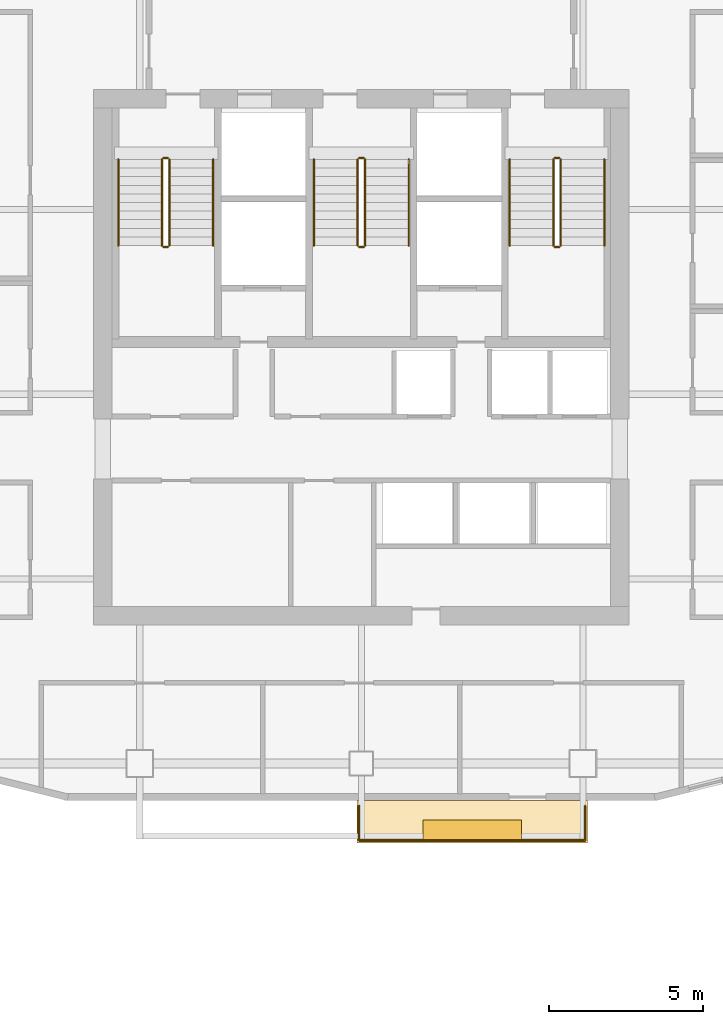
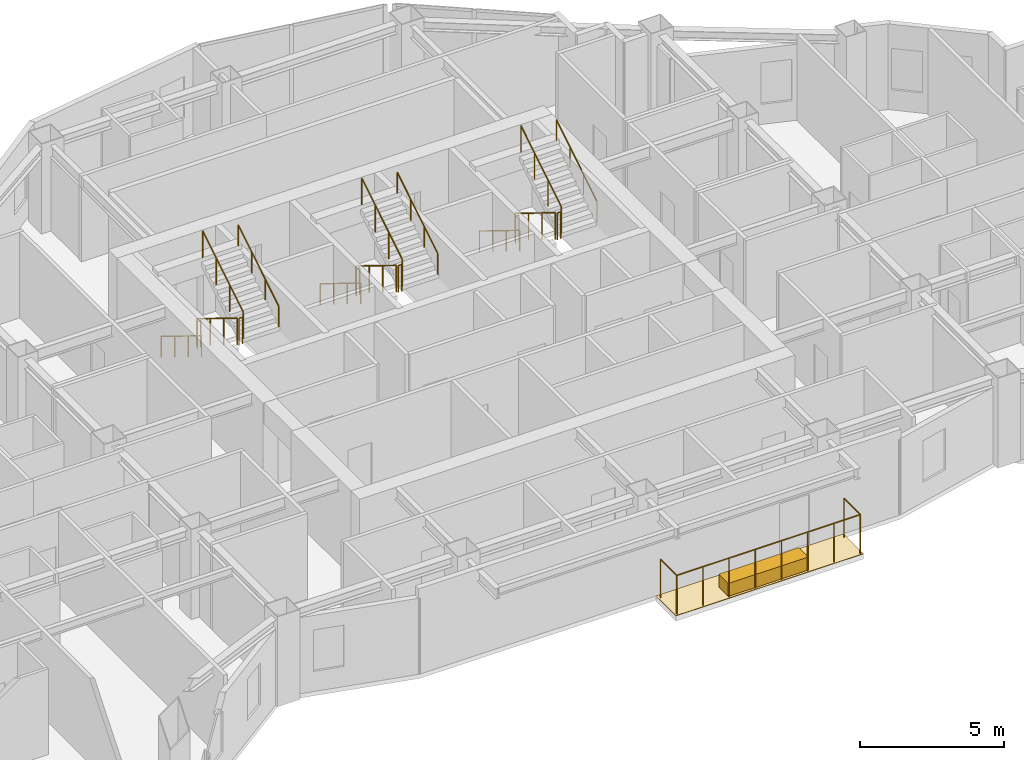
# One storey, part 11 of 11: 20 railings, 2 coverings.
"""IFC4 building model written with IfcOpenShell, lengths in metres."""

from ifc_helpers import new_model, si_unit, direction, frame, origin, origin_2d, place, context, subcontext, project, spatial, polyline, rectangle, circle, outline, extrude, material, layer, layer_set, type_object, element, save


model = new_model("IFC4")

# Units and contexts
model_context = context("Model", 3, precision=1e-05, world=origin(), true_north=direction((0.0, 1.0)))
body_context = subcontext(model_context, "Body", "Model", "MODEL_VIEW")
ifc_project = project(units=[si_unit("LENGTHUNIT", "METRE"), si_unit("AREAUNIT", "SQUARE_METRE"), si_unit("VOLUMEUNIT", "CUBIC_METRE"), si_unit("PLANEANGLEUNIT", "RADIAN"), si_unit("MASSUNIT", "GRAM", prefix="KILO")], contexts=[model_context])

# Site, building, storey
site_placement = place(None, origin())
site = spatial("IfcSite", under=ifc_project, at=site_placement, CompositionType="ELEMENT")
building_placement = place(site_placement, origin())
building = spatial("IfcBuilding", under=site, at=building_placement, Name="Haolan Belvedere Tower", CompositionType="ELEMENT")
storey_placement = place(building_placement, frame((0.0, 0.0, 223.0)))
storey = spatial("IfcBuildingStorey", under=building, at=storey_placement, Name="L56", CompositionType="ELEMENT", Elevation=223.0)

# Coverings
ifc_material_1 = material(Name="Engineered lightweight planted garden soil substrate", Category="masonry")
ifc_layer_1 = layer(ifc_material_1, 0.550048828125, Name="Engineered lightweight planted garden soil substrate")
ifc_layer_set_1 = layer_set([ifc_layer_1], Name="Engineered lightweight planted garden soil substrate")
covering_type_1 = type_object("IfcCoveringType", Name="COV-PLANT-550", PredefinedType="MEMBRANE", material=ifc_layer_set_1)
covering_1_placement = place(storey_placement, frame((42.0, 19.43994140625, 0.0), z_axis=(0.0, 0.0, 1.0), x_axis=(1.0, 0.0, 0.0)))
element("IfcCovering", 1, at=covering_1_placement, inside=storey, type_object=covering_type_1, Name="L56 structural tree balcony PLANTER box 1", PredefinedType="MEMBRANE", context=body_context, shape_type="SweptSolid", body=[
    extrude(rectangle(XDim=3.199951171875, YDim=0.64990234375, at=origin_2d()), origin(), (0.0, 0.0, 1.0), 0.550048828125),
])
ifc_material_2 = material(Name="Elastomeric waterproof roofing membrane and stone pavers", Category="masonry")
ifc_layer_2 = layer(ifc_material_2, 0.02001953125, Name="Elastomeric waterproof roofing membrane and stone pavers")
ifc_layer_set_2 = layer_set([ifc_layer_2], Name="Elastomeric waterproof roofing membrane and stone pavers")
covering_type_2 = type_object("IfcCoveringType", Name="COV-ROOF-20", PredefinedType="ROOFING", material=ifc_layer_set_2)
covering_2_placement = place(storey_placement, frame((0.0, 0.0, -0.02001953125)))
element("IfcCovering", 2, at=covering_2_placement, inside=storey, type_object=covering_type_2, Name="L56 tree-balcony waterproof membrane 1", PredefinedType="ROOFING", context=body_context, shape_type="SweptSolid", body=[
    extrude(outline(polyline([(38.25, 19.02001953125), (45.75, 19.02001953125), (45.75, 20.39990234375), (38.25, 20.39990234375), (38.25, 19.02001953125)])), origin(), (0.0, 0.0, 1.0), 0.02001953125),
])

# Railings
ifc_material_3 = material(Name="Brushed stainless steel 304", Category="steel")
railing_type_1 = type_object("IfcRailingType", Name="RL-STAIR-GRD-1150", PredefinedType="GUARDRAIL", material=ifc_material_3)
railing_1_placement = place(storey_placement, frame((31.919921875, 41.22998046875, 0.172607421875)))
element("IfcRailing", 3, at=railing_1_placement, inside=storey, type_object=railing_type_1, Name="L56 ST1 stair guard 1", PredefinedType="GUARDRAIL", context=body_context, shape_type="SweptSolid", body=[
    extrude(circle(Radius=0.02392578125, at=origin_2d()), frame((0.0, 0.0, 1.1259765625), z_axis=(0.0, -0.851089632645, 0.525020415988), x_axis=(1.0, 0.0, 0.0)), (0.0, 0.0, 1.0), 3.2900390625),
    extrude(circle(Radius=0.02099609375, at=origin_2d()), origin(), (0.0, 0.0, 1.0), 1.101806640625),
    extrude(circle(Radius=0.02099609375, at=origin_2d()), frame((0.0, -0.933349609375, 0.57568359375)), (0.0, 0.0, 1.0), 1.101806640625),
    extrude(circle(Radius=0.02099609375, at=origin_2d()), frame((0.0, -1.86669921875, 1.151611328125)), (0.0, 0.0, 1.0), 1.101806640625),
    extrude(circle(Radius=0.02099609375, at=origin_2d()), frame((0.0, -2.800048828125, 1.727294921875)), (0.0, 0.0, 1.0), 1.101806640625),
])
railing_2_placement = place(storey_placement, frame((31.969970703125, 38.3798828125, 1.89990234375)))
element("IfcRailing", 4, at=railing_2_placement, inside=storey, type_object=railing_type_1, Name="L56 ST1 stair guard 2", PredefinedType="GUARDRAIL", context=body_context, shape_type="SweptSolid", body=[
    extrude(circle(Radius=0.02392578125, at=origin_2d()), frame((0.0, 0.0, 1.1259765625), z_axis=(1.0, 0.0, 0.0), x_axis=(0.0, 1.0, 0.0)), (0.0, 0.0, 1.0), 0.14013671875),
    extrude(circle(Radius=0.02099609375, at=origin_2d()), origin(), (0.0, 0.0, 1.0), 1.101806640625),
    extrude(circle(Radius=0.02099609375, at=origin_2d()), frame((0.14013671875, 0.0, 0.0)), (0.0, 0.0, 1.0), 1.101806640625),
])
railing_3_placement = place(storey_placement, frame((32.159912109375, 38.429931640625, 2.07275390625)))
element("IfcRailing", 5, at=railing_3_placement, inside=storey, type_object=railing_type_1, Name="L56 ST1 stair guard 3", PredefinedType="GUARDRAIL", context=body_context, shape_type="SweptSolid", body=[
    extrude(circle(Radius=0.02392578125, at=origin_2d()), frame((0.0, 0.0, 1.1259765625), z_axis=(0.0, 0.851089632645, 0.525020415988), x_axis=(-1.0, 0.0, 0.0)), (0.0, 0.0, 1.0), 3.2900390625),
    extrude(circle(Radius=0.02099609375, at=origin_2d()), origin(), (0.0, 0.0, 1.0), 1.101806640625),
    extrude(circle(Radius=0.02099609375, at=origin_2d()), frame((0.0, 0.933349609375, 0.57568359375)), (0.0, 0.0, 1.0), 1.101806640625),
    extrude(circle(Radius=0.02099609375, at=origin_2d()), frame((0.0, 1.86669921875, 1.151611328125)), (0.0, 0.0, 1.0), 1.101806640625),
    extrude(circle(Radius=0.02099609375, at=origin_2d()), frame((0.0, 2.800048828125, 1.727294921875)), (0.0, 0.0, 1.0), 1.101806640625),
])
railing_4_placement = place(storey_placement, frame((31.969970703125, 41.280029296875, 0.0)))
element("IfcRailing", 6, at=railing_4_placement, inside=storey, type_object=railing_type_1, Name="L56 ST1 stair guard 4", PredefinedType="GUARDRAIL", context=body_context, shape_type="SweptSolid", body=[
    extrude(circle(Radius=0.02392578125, at=origin_2d()), frame((0.0, 0.0, 1.1259765625), z_axis=(1.0, 0.0, 0.0), x_axis=(0.0, 1.0, 0.0)), (0.0, 0.0, 1.0), 0.14013671875),
    extrude(circle(Radius=0.02099609375, at=origin_2d()), origin(), (0.0, 0.0, 1.0), 1.101806640625),
    extrude(circle(Radius=0.02099609375, at=origin_2d()), frame((0.14013671875, 0.0, 0.0)), (0.0, 0.0, 1.0), 1.101806640625),
])
railing_5_placement = place(storey_placement, frame((38.280029296875, 41.22998046875, 0.172607421875)))
element("IfcRailing", 7, at=railing_5_placement, inside=storey, type_object=railing_type_1, Name="L56 ST3 stair guard 1", PredefinedType="GUARDRAIL", context=body_context, shape_type="SweptSolid", body=[
    extrude(circle(Radius=0.02392578125, at=origin_2d()), frame((0.0, 0.0, 1.1259765625), z_axis=(0.0, -0.851089632645, 0.525020415988), x_axis=(1.0, 0.0, 0.0)), (0.0, 0.0, 1.0), 3.2900390625),
    extrude(circle(Radius=0.02099609375, at=origin_2d()), origin(), (0.0, 0.0, 1.0), 1.101806640625),
    extrude(circle(Radius=0.02099609375, at=origin_2d()), frame((0.0, -0.933349609375, 0.57568359375)), (0.0, 0.0, 1.0), 1.101806640625),
    extrude(circle(Radius=0.02099609375, at=origin_2d()), frame((0.0, -1.86669921875, 1.151611328125)), (0.0, 0.0, 1.0), 1.101806640625),
    extrude(circle(Radius=0.02099609375, at=origin_2d()), frame((0.0, -2.800048828125, 1.727294921875)), (0.0, 0.0, 1.0), 1.101806640625),
])
railing_6_placement = place(storey_placement, frame((38.330078125, 38.3798828125, 1.89990234375)))
element("IfcRailing", 8, at=railing_6_placement, inside=storey, type_object=railing_type_1, Name="L56 ST3 stair guard 2", PredefinedType="GUARDRAIL", context=body_context, shape_type="SweptSolid", body=[
    extrude(circle(Radius=0.02392578125, at=origin_2d()), frame((0.0, 0.0, 1.1259765625), z_axis=(1.0, 0.0, 0.0), x_axis=(0.0, 1.0, 0.0)), (0.0, 0.0, 1.0), 0.139892578125),
    extrude(circle(Radius=0.02099609375, at=origin_2d()), origin(), (0.0, 0.0, 1.0), 1.101806640625),
    extrude(circle(Radius=0.02099609375, at=origin_2d()), frame((0.139892578125, 0.0, 0.0)), (0.0, 0.0, 1.0), 1.101806640625),
])
railing_7_placement = place(storey_placement, frame((38.52001953125, 38.429931640625, 2.07275390625)))
element("IfcRailing", 9, at=railing_7_placement, inside=storey, type_object=railing_type_1, Name="L56 ST3 stair guard 3", PredefinedType="GUARDRAIL", context=body_context, shape_type="SweptSolid", body=[
    extrude(circle(Radius=0.02392578125, at=origin_2d()), frame((0.0, 0.0, 1.1259765625), z_axis=(0.0, 0.851089632645, 0.525020415988), x_axis=(-1.0, 0.0, 0.0)), (0.0, 0.0, 1.0), 3.2900390625),
    extrude(circle(Radius=0.02099609375, at=origin_2d()), origin(), (0.0, 0.0, 1.0), 1.101806640625),
    extrude(circle(Radius=0.02099609375, at=origin_2d()), frame((0.0, 0.933349609375, 0.57568359375)), (0.0, 0.0, 1.0), 1.101806640625),
    extrude(circle(Radius=0.02099609375, at=origin_2d()), frame((0.0, 1.86669921875, 1.151611328125)), (0.0, 0.0, 1.0), 1.101806640625),
    extrude(circle(Radius=0.02099609375, at=origin_2d()), frame((0.0, 2.800048828125, 1.727294921875)), (0.0, 0.0, 1.0), 1.101806640625),
])
railing_8_placement = place(storey_placement, frame((38.330078125, 41.280029296875, 0.0)))
element("IfcRailing", 10, at=railing_8_placement, inside=storey, type_object=railing_type_1, Name="L56 ST3 stair guard 4", PredefinedType="GUARDRAIL", context=body_context, shape_type="SweptSolid", body=[
    extrude(circle(Radius=0.02392578125, at=origin_2d()), frame((0.0, 0.0, 1.1259765625), z_axis=(1.0, 0.0, 0.0), x_axis=(0.0, 1.0, 0.0)), (0.0, 0.0, 1.0), 0.139892578125),
    extrude(circle(Radius=0.02099609375, at=origin_2d()), origin(), (0.0, 0.0, 1.0), 1.101806640625),
    extrude(circle(Radius=0.02099609375, at=origin_2d()), frame((0.139892578125, 0.0, 0.0)), (0.0, 0.0, 1.0), 1.101806640625),
])
railing_9_placement = place(storey_placement, frame((44.639892578125, 41.22998046875, 0.172607421875)))
element("IfcRailing", 11, at=railing_9_placement, inside=storey, type_object=railing_type_1, Name="L56 ST2 stair guard 1", PredefinedType="GUARDRAIL", context=body_context, shape_type="SweptSolid", body=[
    extrude(circle(Radius=0.02392578125, at=origin_2d()), frame((0.0, 0.0, 1.1259765625), z_axis=(0.0, -0.851089632645, 0.525020415988), x_axis=(1.0, 0.0, 0.0)), (0.0, 0.0, 1.0), 3.2900390625),
    extrude(circle(Radius=0.02099609375, at=origin_2d()), origin(), (0.0, 0.0, 1.0), 1.101806640625),
    extrude(circle(Radius=0.02099609375, at=origin_2d()), frame((0.0, -0.933349609375, 0.57568359375)), (0.0, 0.0, 1.0), 1.101806640625),
    extrude(circle(Radius=0.02099609375, at=origin_2d()), frame((0.0, -1.86669921875, 1.151611328125)), (0.0, 0.0, 1.0), 1.101806640625),
    extrude(circle(Radius=0.02099609375, at=origin_2d()), frame((0.0, -2.800048828125, 1.727294921875)), (0.0, 0.0, 1.0), 1.101806640625),
])
railing_10_placement = place(storey_placement, frame((44.68994140625, 38.3798828125, 1.89990234375)))
element("IfcRailing", 12, at=railing_10_placement, inside=storey, type_object=railing_type_1, Name="L56 ST2 stair guard 2", PredefinedType="GUARDRAIL", context=body_context, shape_type="SweptSolid", body=[
    extrude(circle(Radius=0.02392578125, at=origin_2d()), frame((0.0, 0.0, 1.1259765625), z_axis=(1.0, 0.0, 0.0), x_axis=(0.0, 1.0, 0.0)), (0.0, 0.0, 1.0), 0.14013671875),
    extrude(circle(Radius=0.02099609375, at=origin_2d()), origin(), (0.0, 0.0, 1.0), 1.101806640625),
    extrude(circle(Radius=0.02099609375, at=origin_2d()), frame((0.14013671875, 0.0, 0.0)), (0.0, 0.0, 1.0), 1.101806640625),
])
railing_11_placement = place(storey_placement, frame((44.8798828125, 38.429931640625, 2.07275390625)))
element("IfcRailing", 13, at=railing_11_placement, inside=storey, type_object=railing_type_1, Name="L56 ST2 stair guard 3", PredefinedType="GUARDRAIL", context=body_context, shape_type="SweptSolid", body=[
    extrude(circle(Radius=0.02392578125, at=origin_2d()), frame((0.0, 0.0, 1.1259765625), z_axis=(0.0, 0.851089632645, 0.525020415988), x_axis=(-1.0, 0.0, 0.0)), (0.0, 0.0, 1.0), 3.2900390625),
    extrude(circle(Radius=0.02099609375, at=origin_2d()), origin(), (0.0, 0.0, 1.0), 1.101806640625),
    extrude(circle(Radius=0.02099609375, at=origin_2d()), frame((0.0, 0.933349609375, 0.57568359375)), (0.0, 0.0, 1.0), 1.101806640625),
    extrude(circle(Radius=0.02099609375, at=origin_2d()), frame((0.0, 1.86669921875, 1.151611328125)), (0.0, 0.0, 1.0), 1.101806640625),
    extrude(circle(Radius=0.02099609375, at=origin_2d()), frame((0.0, 2.800048828125, 1.727294921875)), (0.0, 0.0, 1.0), 1.101806640625),
])
railing_12_placement = place(storey_placement, frame((44.68994140625, 41.280029296875, 0.0)))
element("IfcRailing", 14, at=railing_12_placement, inside=storey, type_object=railing_type_1, Name="L56 ST2 stair guard 4", PredefinedType="GUARDRAIL", context=body_context, shape_type="SweptSolid", body=[
    extrude(circle(Radius=0.02392578125, at=origin_2d()), frame((0.0, 0.0, 1.1259765625), z_axis=(1.0, 0.0, 0.0), x_axis=(0.0, 1.0, 0.0)), (0.0, 0.0, 1.0), 0.14013671875),
    extrude(circle(Radius=0.02099609375, at=origin_2d()), origin(), (0.0, 0.0, 1.0), 1.101806640625),
    extrude(circle(Radius=0.02099609375, at=origin_2d()), frame((0.14013671875, 0.0, 0.0)), (0.0, 0.0, 1.0), 1.101806640625),
])
railing_type_2 = type_object("IfcRailingType", Name="RL-STAIR-HND-900", PredefinedType="HANDRAIL", material=ifc_material_3)
railing_13_placement = place(storey_placement, frame((30.5, 41.22998046875, 0.172607421875)))
element("IfcRailing", 15, at=railing_13_placement, inside=storey, type_object=railing_type_2, Name="L56 ST1 stair handrail 1", PredefinedType="HANDRAIL", context=body_context, shape_type="SweptSolid", body=[
    extrude(circle(Radius=0.02392578125, at=origin_2d()), frame((0.0, 0.0, 0.8759765625), z_axis=(0.0, -0.851089632645, 0.525020415988), x_axis=(1.0, 0.0, 0.0)), (0.0, 0.0, 1.0), 3.2900390625),
    extrude(circle(Radius=0.02099609375, at=origin_2d()), origin(), (0.0, 0.0, 1.0), 0.851806640625),
    extrude(circle(Radius=0.02099609375, at=origin_2d()), frame((0.0, -0.933349609375, 0.57568359375)), (0.0, 0.0, 1.0), 0.851806640625),
    extrude(circle(Radius=0.02099609375, at=origin_2d()), frame((0.0, -1.86669921875, 1.151611328125)), (0.0, 0.0, 1.0), 0.851806640625),
    extrude(circle(Radius=0.02099609375, at=origin_2d()), frame((0.0, -2.800048828125, 1.727294921875)), (0.0, 0.0, 1.0), 0.851806640625),
])
railing_14_placement = place(storey_placement, frame((33.580078125, 38.429931640625, 2.07275390625)))
element("IfcRailing", 16, at=railing_14_placement, inside=storey, type_object=railing_type_2, Name="L56 ST1 stair handrail 2", PredefinedType="HANDRAIL", context=body_context, shape_type="SweptSolid", body=[
    extrude(circle(Radius=0.02392578125, at=origin_2d()), frame((0.0, 0.0, 0.8759765625), z_axis=(0.0, 0.851089632645, 0.525020415988), x_axis=(-1.0, 0.0, 0.0)), (0.0, 0.0, 1.0), 3.2900390625),
    extrude(circle(Radius=0.02099609375, at=origin_2d()), origin(), (0.0, 0.0, 1.0), 0.851806640625),
    extrude(circle(Radius=0.02099609375, at=origin_2d()), frame((0.0, 0.933349609375, 0.57568359375)), (0.0, 0.0, 1.0), 0.851806640625),
    extrude(circle(Radius=0.02099609375, at=origin_2d()), frame((0.0, 1.86669921875, 1.151611328125)), (0.0, 0.0, 1.0), 0.851806640625),
    extrude(circle(Radius=0.02099609375, at=origin_2d()), frame((0.0, 2.800048828125, 1.727294921875)), (0.0, 0.0, 1.0), 0.851806640625),
])
railing_15_placement = place(storey_placement, frame((36.860107421875, 41.22998046875, 0.172607421875)))
element("IfcRailing", 17, at=railing_15_placement, inside=storey, type_object=railing_type_2, Name="L56 ST3 stair handrail 1", PredefinedType="HANDRAIL", context=body_context, shape_type="SweptSolid", body=[
    extrude(circle(Radius=0.02392578125, at=origin_2d()), frame((0.0, 0.0, 0.8759765625), z_axis=(0.0, -0.851089632645, 0.525020415988), x_axis=(1.0, 0.0, 0.0)), (0.0, 0.0, 1.0), 3.2900390625),
    extrude(circle(Radius=0.02099609375, at=origin_2d()), origin(), (0.0, 0.0, 1.0), 0.851806640625),
    extrude(circle(Radius=0.02099609375, at=origin_2d()), frame((0.0, -0.933349609375, 0.57568359375)), (0.0, 0.0, 1.0), 0.851806640625),
    extrude(circle(Radius=0.02099609375, at=origin_2d()), frame((0.0, -1.86669921875, 1.151611328125)), (0.0, 0.0, 1.0), 0.851806640625),
    extrude(circle(Radius=0.02099609375, at=origin_2d()), frame((0.0, -2.800048828125, 1.727294921875)), (0.0, 0.0, 1.0), 0.851806640625),
])
railing_16_placement = place(storey_placement, frame((39.93994140625, 38.429931640625, 2.07275390625)))
element("IfcRailing", 18, at=railing_16_placement, inside=storey, type_object=railing_type_2, Name="L56 ST3 stair handrail 2", PredefinedType="HANDRAIL", context=body_context, shape_type="SweptSolid", body=[
    extrude(circle(Radius=0.02392578125, at=origin_2d()), frame((0.0, 0.0, 0.8759765625), z_axis=(0.0, 0.851089632645, 0.525020415988), x_axis=(-1.0, 0.0, 0.0)), (0.0, 0.0, 1.0), 3.2900390625),
    extrude(circle(Radius=0.02099609375, at=origin_2d()), origin(), (0.0, 0.0, 1.0), 0.851806640625),
    extrude(circle(Radius=0.02099609375, at=origin_2d()), frame((0.0, 0.933349609375, 0.57568359375)), (0.0, 0.0, 1.0), 0.851806640625),
    extrude(circle(Radius=0.02099609375, at=origin_2d()), frame((0.0, 1.86669921875, 1.151611328125)), (0.0, 0.0, 1.0), 0.851806640625),
    extrude(circle(Radius=0.02099609375, at=origin_2d()), frame((0.0, 2.800048828125, 1.727294921875)), (0.0, 0.0, 1.0), 0.851806640625),
])
railing_17_placement = place(storey_placement, frame((43.219970703125, 41.22998046875, 0.172607421875)))
element("IfcRailing", 19, at=railing_17_placement, inside=storey, type_object=railing_type_2, Name="L56 ST2 stair handrail 1", PredefinedType="HANDRAIL", context=body_context, shape_type="SweptSolid", body=[
    extrude(circle(Radius=0.02392578125, at=origin_2d()), frame((0.0, 0.0, 0.8759765625), z_axis=(0.0, -0.851089632645, 0.525020415988), x_axis=(1.0, 0.0, 0.0)), (0.0, 0.0, 1.0), 3.2900390625),
    extrude(circle(Radius=0.02099609375, at=origin_2d()), origin(), (0.0, 0.0, 1.0), 0.851806640625),
    extrude(circle(Radius=0.02099609375, at=origin_2d()), frame((0.0, -0.933349609375, 0.57568359375)), (0.0, 0.0, 1.0), 0.851806640625),
    extrude(circle(Radius=0.02099609375, at=origin_2d()), frame((0.0, -1.86669921875, 1.151611328125)), (0.0, 0.0, 1.0), 0.851806640625),
    extrude(circle(Radius=0.02099609375, at=origin_2d()), frame((0.0, -2.800048828125, 1.727294921875)), (0.0, 0.0, 1.0), 0.851806640625),
])
railing_18_placement = place(storey_placement, frame((46.300048828125, 38.429931640625, 2.07275390625)))
element("IfcRailing", 20, at=railing_18_placement, inside=storey, type_object=railing_type_2, Name="L56 ST2 stair handrail 2", PredefinedType="HANDRAIL", context=body_context, shape_type="SweptSolid", body=[
    extrude(circle(Radius=0.02392578125, at=origin_2d()), frame((0.0, 0.0, 0.8759765625), z_axis=(0.0, 0.851089632645, 0.525020415988), x_axis=(-1.0, 0.0, 0.0)), (0.0, 0.0, 1.0), 3.2900390625),
    extrude(circle(Radius=0.02099609375, at=origin_2d()), origin(), (0.0, 0.0, 1.0), 0.851806640625),
    extrude(circle(Radius=0.02099609375, at=origin_2d()), frame((0.0, 0.933349609375, 0.57568359375)), (0.0, 0.0, 1.0), 0.851806640625),
    extrude(circle(Radius=0.02099609375, at=origin_2d()), frame((0.0, 1.86669921875, 1.151611328125)), (0.0, 0.0, 1.0), 0.851806640625),
    extrude(circle(Radius=0.02099609375, at=origin_2d()), frame((0.0, 2.800048828125, 1.727294921875)), (0.0, 0.0, 1.0), 0.851806640625),
])
ifc_material_4 = material(Name="Anodised aluminium and laminated glass balustrade", Category="aluminium")
railing_type_3 = type_object("IfcRailingType", Name="RL-TER-BAL-1150", PredefinedType="BALUSTRADE", material=ifc_material_4)
railing_19_placement = place(storey_placement, frame((38.330078125, 19.10009765625, 0.0)))
element("IfcRailing", 21, at=railing_19_placement, inside=storey, type_object=railing_type_3, Name="L56 outdoor perimeter balustrade BAL-L56-1-1", PredefinedType="BALUSTRADE", context=body_context, shape_type="SweptSolid", body=[
    extrude(circle(Radius=0.02392578125, at=origin_2d()), frame((0.0, 0.0, 1.6259765625), z_axis=(0.0, 1.0, 0.0), x_axis=(-1.0, 0.0, 0.0)), (0.0, 0.0, 1.0), 1.119873046875),
    extrude(circle(Radius=0.02099609375, at=origin_2d()), origin(), (0.0, 0.0, 1.0), 1.601806640625),
    extrude(circle(Radius=0.02099609375, at=origin_2d()), frame((0.0, 1.119873046875, 0.0)), (0.0, 0.0, 1.0), 1.601806640625),
])
railing_20_placement = place(storey_placement, frame((45.669921875, 20.219970703125, 0.0)))
element("IfcRailing", 22, at=railing_20_placement, inside=storey, type_object=railing_type_3, Name="L56 outdoor perimeter balustrade BAL-L56-1-2", PredefinedType="BALUSTRADE", context=body_context, shape_type="SweptSolid", body=[
    extrude(circle(Radius=0.02392578125, at=origin_2d()), frame((0.0, 0.0, 1.6259765625), z_axis=(0.0, -1.0, 0.0), x_axis=(1.0, 0.0, 0.0)), (0.0, 0.0, 1.0), 1.119873046875),
    extrude(circle(Radius=0.02392578125, at=origin_2d()), frame((0.0, -1.119873046875, 1.6259765625), z_axis=(-1.0, 0.0, 0.0), x_axis=(0.0, -1.0, 0.0)), (0.0, 0.0, 1.0), 7.33984375),
    extrude(circle(Radius=0.02099609375, at=origin_2d()), origin(), (0.0, 0.0, 1.0), 1.601806640625),
    extrude(circle(Radius=0.02099609375, at=origin_2d()), frame((0.0, -1.119873046875, 0.0)), (0.0, 0.0, 1.0), 1.601806640625),
    extrude(circle(Radius=0.02099609375, at=origin_2d()), frame((-1.048583984375, -1.119873046875, 0.0)), (0.0, 0.0, 1.0), 1.601806640625),
    extrude(circle(Radius=0.02099609375, at=origin_2d()), frame((-2.09716796875, -1.119873046875, 0.0)), (0.0, 0.0, 1.0), 1.601806640625),
    extrude(circle(Radius=0.02099609375, at=origin_2d()), frame((-3.145751953125, -1.119873046875, 0.0)), (0.0, 0.0, 1.0), 1.601806640625),
    extrude(circle(Radius=0.02099609375, at=origin_2d()), frame((-4.194091796875, -1.119873046875, 0.0)), (0.0, 0.0, 1.0), 1.601806640625),
    extrude(circle(Radius=0.02099609375, at=origin_2d()), frame((-5.24267578125, -1.119873046875, 0.0)), (0.0, 0.0, 1.0), 1.601806640625),
    extrude(circle(Radius=0.02099609375, at=origin_2d()), frame((-6.291259765625, -1.119873046875, 0.0)), (0.0, 0.0, 1.0), 1.601806640625),
    extrude(circle(Radius=0.02099609375, at=origin_2d()), frame((-7.33984375, -1.119873046875, 0.0)), (0.0, 0.0, 1.0), 1.601806640625),
])

save(model, "model.ifc")
